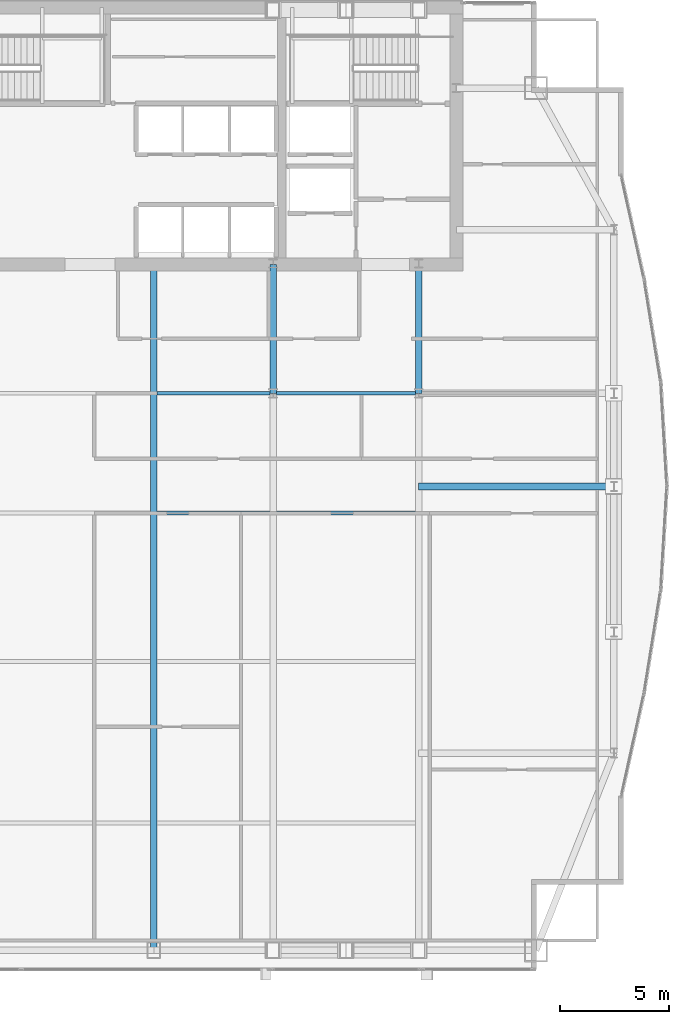
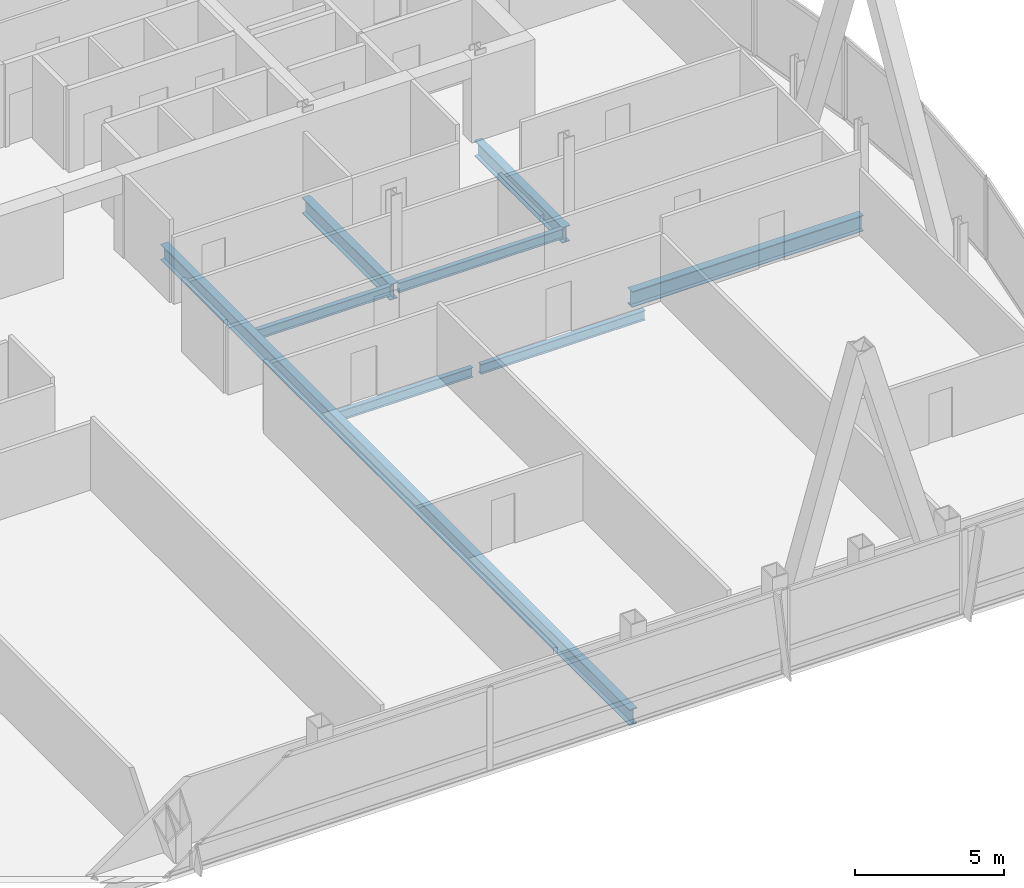
# One storey, part 17 of 31: 8 beams.
"""IFC4 building model written with IfcOpenShell, lengths in metres."""

from ifc_helpers import new_model, si_unit, direction, frame, origin, origin_2d, place, context, subcontext, project, spatial, i_section, extrude, material, material_profile, profile_set, type_object, element, save


model = new_model("IFC4")

# Units and contexts
model_context = context("Model", 3, precision=1e-05, world=origin(), true_north=direction((0.0, 1.0)))
body_context = subcontext(model_context, "Body", "Model", "MODEL_VIEW")
ifc_project = project(units=[si_unit("LENGTHUNIT", "METRE"), si_unit("AREAUNIT", "SQUARE_METRE"), si_unit("VOLUMEUNIT", "CUBIC_METRE"), si_unit("PLANEANGLEUNIT", "RADIAN"), si_unit("MASSUNIT", "GRAM", prefix="KILO")], contexts=[model_context])

# Site, building, storey
site_placement = place(None, origin())
site = spatial("IfcSite", under=ifc_project, at=site_placement, CompositionType="ELEMENT")
building_placement = place(site_placement, origin())
building = spatial("IfcBuilding", under=site, at=building_placement, Name="Khoronbel Lancet Exchange", CompositionType="ELEMENT")
storey_placement = place(building_placement, frame((0.0, 0.0, 261.800048828125)))
storey = spatial("IfcBuildingStorey", under=building, at=storey_placement, Name="L67", CompositionType="ELEMENT", Elevation=261.800048828125)

# Beams
ifc_material = material(Name="Steel S355", Category="steel")
ifc_material_profile_1 = material_profile(ifc_material, i_section(OverallWidth=0.300048828125, OverallDepth=0.64990234375, WebThickness=0.01611328125, FlangeThickness=0.031005859375, at=origin_2d()), Name="HEB 650")
ifc_profile_set_1 = profile_set([ifc_material_profile_1], Name="Steel S355")
beam_type_1 = type_object("IfcBeamType", Name="BM-BG4", PredefinedType="BEAM", material=ifc_profile_set_1)
beam_1_placement = place(storey_placement, frame((42.52490234375, 10.14990234375, -0.485107421875), z_axis=(0.0, 1.0, 0.0), x_axis=(-1.0, 0.0, 0.0)))
element("IfcBeam", 1, at=beam_1_placement, inside=storey, type_object=beam_type_1, Name="Level L67 primary floor girder G4", PredefinedType="BEAM", context=body_context, shape_type="SweptSolid", body=[
    extrude(i_section(OverallWidth=0.300048828125, OverallDepth=0.64990234375, WebThickness=0.01611328125, FlangeThickness=0.031005859375, at=origin_2d()), origin(), (0.0, 0.0, 1.0), 31.4501953125),
])
for number, where, z_axis, x_axis, name in (
    (2, (48.0, 35.699951171875, -0.485107421875), (0.0, 1.0, 0.0), (-1.0, 0.0, 0.0), "Level L67 spine tie girder GN5"),
    (3, (54.675048828125, 35.699951171875, -0.485107421875), (0.0, 1.0, 0.0), (-1.0, 0.0, 0.0), "Level L67 spine tie girder GN6"),
):
    element("IfcBeam", number, at=place(storey_placement, frame(where, z_axis=z_axis, x_axis=x_axis)), inside=storey, type_object=beam_type_1, Name=name, PredefinedType="BEAM", context=body_context, shape_type="SweptSolid", body=[
        extrude(i_section(OverallWidth=0.300048828125, OverallDepth=0.64990234375, WebThickness=0.01611328125, FlangeThickness=0.031005859375, at=origin_2d()), origin(), (0.0, 0.0, 1.0), 5.900146484375),
    ])
beam_2_placement = place(storey_placement, frame((54.675048828125, 31.425048828125, -0.485107421875), z_axis=(1.0, 0.0, 0.0), x_axis=(0.0, 1.0, 0.0)))
element("IfcBeam", 4, at=beam_2_placement, inside=storey, type_object=beam_type_1, Name="Level L67 east lens tie girder LG2E", PredefinedType="BEAM", context=body_context, shape_type="SweptSolid", body=[
    extrude(i_section(OverallWidth=0.300048828125, OverallDepth=0.64990234375, WebThickness=0.01611328125, FlangeThickness=0.031005859375, at=origin_2d()), origin(), (0.0, 0.0, 1.0), 8.954833984375),
])
ifc_material_profile_2 = material_profile(ifc_material, i_section(OverallWidth=0.179931640625, OverallDepth=0.39990234375, WebThickness=0.008544921875, FlangeThickness=0.013427734375, at=origin_2d()), Name="IPE 400")
ifc_profile_set_2 = profile_set([ifc_material_profile_2], Name="Steel S355")
beam_type_2 = type_object("IfcBeamType", Name="BM-BJ5", PredefinedType="JOIST", material=ifc_profile_set_2)
beam_3_placement = place(storey_placement, frame((42.675048828125, 30.199951171875, -0.360107421875), z_axis=(1.0, 0.0, 0.0), x_axis=(0.0, 1.0, 0.0)))
element("IfcBeam", 5, at=beam_3_placement, inside=storey, type_object=beam_type_2, Name="Level L67 secondary composite joist J14", PredefinedType="JOIST", context=body_context, shape_type="SweptSolid", body=[
    extrude(i_section(OverallWidth=0.179931640625, OverallDepth=0.39990234375, WebThickness=0.008544921875, FlangeThickness=0.013427734375, at=origin_2d()), origin(), (0.0, 0.0, 1.0), 5.175048828125),
])
beam_4_placement = place(storey_placement, frame((48.14990234375, 30.199951171875, -0.360107421875), z_axis=(1.0, 0.0, 0.0), x_axis=(0.0, 1.0, 0.0)))
element("IfcBeam", 6, at=beam_4_placement, inside=storey, type_object=beam_type_2, Name="Level L67 secondary composite joist J15", PredefinedType="JOIST", context=body_context, shape_type="SweptSolid", body=[
    extrude(i_section(OverallWidth=0.179931640625, OverallDepth=0.39990234375, WebThickness=0.008544921875, FlangeThickness=0.013427734375, at=origin_2d()), origin(), (0.0, 0.0, 1.0), 6.375),
])
beam_5_placement = place(storey_placement, frame((42.675048828125, 35.699951171875, -0.360107421875), z_axis=(1.0, 0.0, 0.0), x_axis=(0.0, 1.0, 0.0)))
element("IfcBeam", 7, at=beam_5_placement, inside=storey, type_object=beam_type_2, Name="Level L67 secondary composite joist J19", PredefinedType="JOIST", context=body_context, shape_type="SweptSolid", body=[
    extrude(i_section(OverallWidth=0.179931640625, OverallDepth=0.39990234375, WebThickness=0.008544921875, FlangeThickness=0.013427734375, at=origin_2d()), origin(), (0.0, 0.0, 1.0), 5.175048828125),
])
beam_6_placement = place(storey_placement, frame((48.14990234375, 35.699951171875, -0.360107421875), z_axis=(1.0, 0.0, 0.0), x_axis=(0.0, 1.0, 0.0)))
element("IfcBeam", 8, at=beam_6_placement, inside=storey, type_object=beam_type_2, Name="Level L67 secondary composite joist J20", PredefinedType="JOIST", context=body_context, shape_type="SweptSolid", body=[
    extrude(i_section(OverallWidth=0.179931640625, OverallDepth=0.39990234375, WebThickness=0.008544921875, FlangeThickness=0.013427734375, at=origin_2d()), origin(), (0.0, 0.0, 1.0), 6.375),
])

save(model, "model.ifc")
